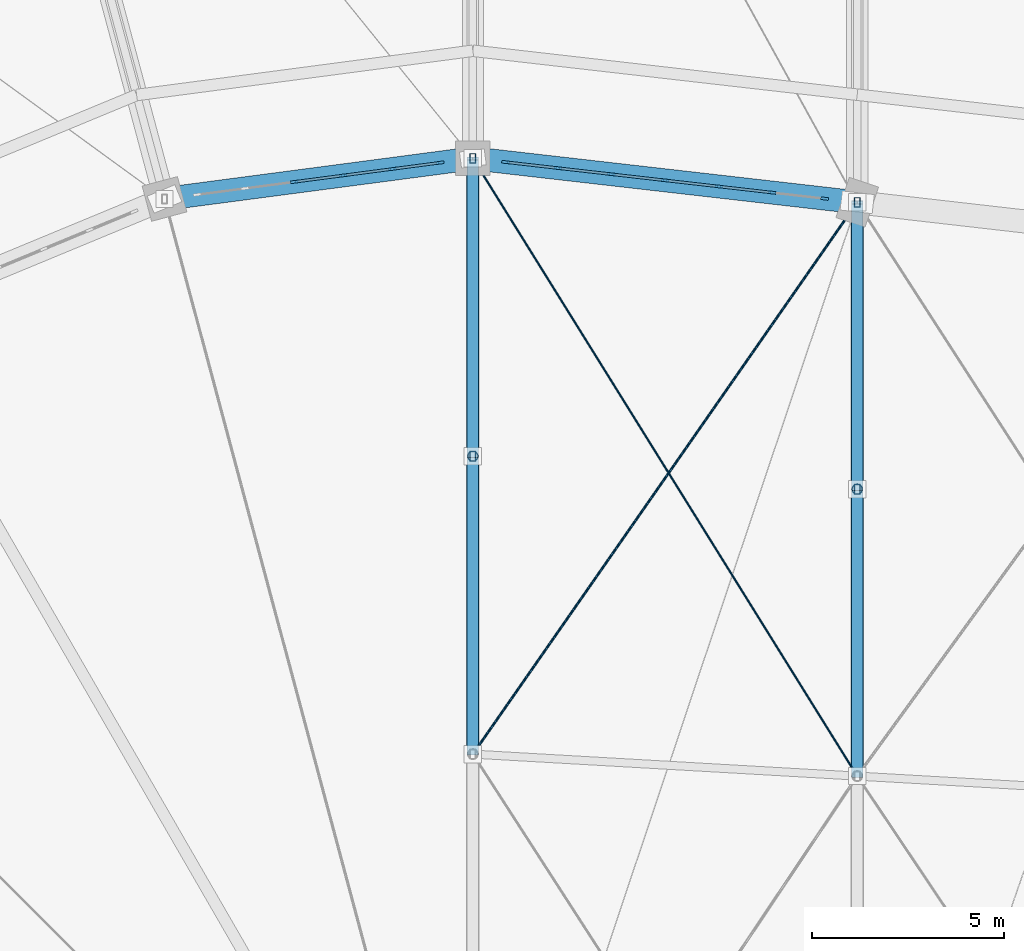
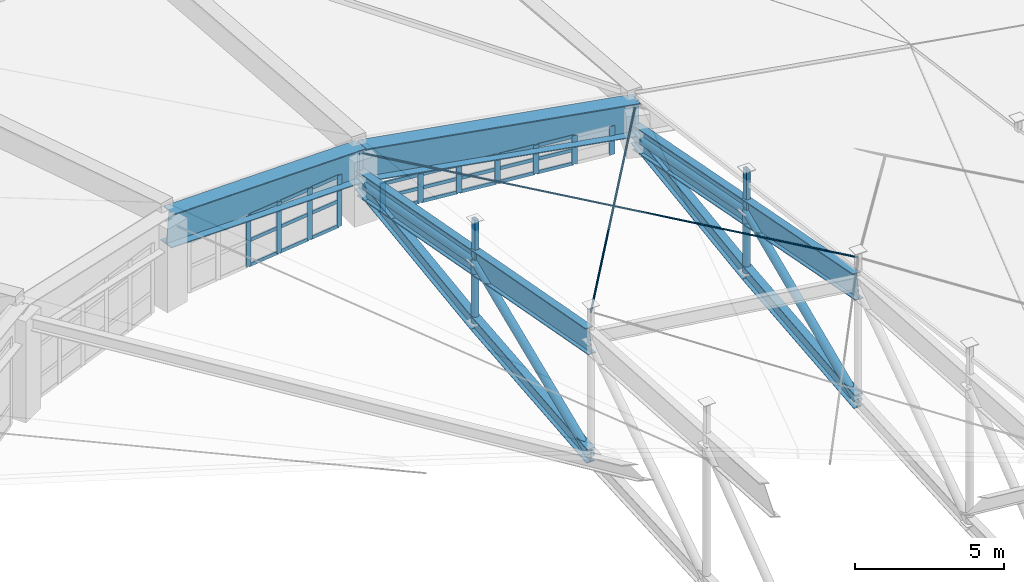
# One storey, part 34 of 68: 47 members, 10 beams, 2 elements without a shape of their own.
"""IFC4 building model written with IfcOpenShell, lengths in metres."""

from ifc_helpers import new_model, si_unit, direction, frame, origin, origin_2d, place, context, subcontext, project, spatial, rectangle, hollow_rectangle, circle, hollow_circle, i_section, extrude, material, layer, layer_set, material_profile, profile_set, type_object, element, aggregate, save


model = new_model("IFC4")

# Units and contexts
model_context = context("Model", 3, precision=1e-05, world=origin(), true_north=direction((0.0, 1.0)))
body_context = subcontext(model_context, "Body", "Model", "MODEL_VIEW")
ifc_project = project(units=[si_unit("LENGTHUNIT", "METRE"), si_unit("AREAUNIT", "SQUARE_METRE"), si_unit("VOLUMEUNIT", "CUBIC_METRE"), si_unit("PLANEANGLEUNIT", "RADIAN"), si_unit("MASSUNIT", "GRAM", prefix="KILO")], contexts=[model_context])

# Site, building, storey
site_placement = place(None, origin())
site = spatial("IfcSite", under=ifc_project, at=site_placement, CompositionType="ELEMENT")
building_placement = place(site_placement, origin())
building = spatial("IfcBuilding", under=site, at=building_placement, Name="Sohan Crest Arena", CompositionType="ELEMENT")
storey_placement = place(building_placement, frame((0.0, 0.0, 27.0)))
storey = spatial("IfcBuildingStorey", under=building, at=storey_placement, Name="RF", CompositionType="ELEMENT", Elevation=27.0)

# Curtain wall, members
ifc_material_1 = material(Name="Thermally broken anodised aluminium", Category="aluminium")
ifc_layer = layer(ifc_material_1, 0.18994140625, Name="Thermally broken anodised aluminium")
ifc_layer_set = layer_set([ifc_layer], Name="Thermally broken anodised aluminium")
curtain_wall_type = type_object("IfcCurtainWallType", Name="ARC-CW05", PredefinedType="NOTDEFINED", material=ifc_layer_set)
curtain_wall_1_placement = place(storey_placement, origin())
curtain_wall_1 = element("IfcCurtainWall", 1, at=curtain_wall_1_placement, inside=storey, type_object=curtain_wall_type, Name="Unitised curtain wall CW-165", PredefinedType="NOTDEFINED")
ifc_material_profile_1 = material_profile(ifc_material_1, rectangle(XDim=0.070068359375, YDim=0.199951171875, at=origin_2d()), Name="ALU-MULL 70x200")
ifc_profile_set_1 = profile_set([ifc_material_profile_1], Name="Thermally broken anodised aluminium")
member_type_1 = type_object("IfcMemberType", Name="ARC-CW-ML03", PredefinedType="MULLION", material=ifc_profile_set_1)
member_1_placement = place(storey_placement, frame((97.15234375, 108.888427734375, 0.0), z_axis=(0.0, 0.0, 1.0), x_axis=(0.130498613419, -0.991448491802, 0.0)))
member_1 = element("IfcMember", 2, at=member_1_placement, type_object=member_type_1, Name="CW-165 mullion 1", PredefinedType="MULLION", context=body_context, shape_type="SweptSolid", body=[
    extrude(rectangle(XDim=0.070068359375, YDim=0.199951171875, at=origin_2d()), origin(), (0.0, 0.0, 1.0), 2.097900390625),
])
member_2_placement = place(storey_placement, frame((95.90771484375, 108.724609375, 0.0), z_axis=(0.0, 0.0, 1.0), x_axis=(0.130498613419, -0.991448491802, 0.0)))
member_2 = element("IfcMember", 3, at=member_2_placement, type_object=member_type_1, Name="CW-165 mullion 2", PredefinedType="MULLION", context=body_context, shape_type="SweptSolid", body=[
    extrude(rectangle(XDim=0.070068359375, YDim=0.199951171875, at=origin_2d()), origin(), (0.0, 0.0, 1.0), 2.097900390625),
])
member_3_placement = place(storey_placement, frame((94.628173828125, 108.55615234375, 0.0), z_axis=(0.0, 0.0, 1.0), x_axis=(0.130498613419, -0.991448491802, 0.0)))
member_3 = element("IfcMember", 4, at=member_3_placement, type_object=member_type_1, Name="CW-165 mullion 3", PredefinedType="MULLION", context=body_context, shape_type="SweptSolid", body=[
    extrude(rectangle(XDim=0.070068359375, YDim=0.199951171875, at=origin_2d()), origin(), (0.0, 0.0, 1.0), 2.097900390625),
])
member_4_placement = place(storey_placement, frame((93.348876953125, 108.3876953125, 0.0), z_axis=(0.0, 0.0, 1.0), x_axis=(0.130498613419, -0.991448491802, 0.0)))
member_4 = element("IfcMember", 5, at=member_4_placement, type_object=member_type_1, Name="CW-165 mullion 4", PredefinedType="MULLION", context=body_context, shape_type="SweptSolid", body=[
    extrude(rectangle(XDim=0.070068359375, YDim=0.199951171875, at=origin_2d()), origin(), (0.0, 0.0, 1.0), 2.097900390625),
])

curtain_wall_2_placement = place(storey_placement, origin())
curtain_wall_2 = element("IfcCurtainWall", 6, at=curtain_wall_2_placement, inside=storey, type_object=curtain_wall_type, Name="Unitised curtain wall CW-201", PredefinedType="NOTDEFINED")
member_5_placement = place(storey_placement, frame((107.150146484375, 107.953857421875, 0.0), z_axis=(0.0, 0.0, 1.0), x_axis=(-0.11359680696, -0.993526932422, 0.0)))
member_5 = element("IfcMember", 7, at=member_5_placement, type_object=member_type_1, Name="CW-201 mullion 1", PredefinedType="MULLION", context=body_context, shape_type="SweptSolid", body=[
    extrude(rectangle(XDim=0.070068359375, YDim=0.199951171875, at=origin_2d()), origin(), (0.0, 0.0, 1.0), 1.1669921875),
])
member_6_placement = place(storey_placement, frame((105.7900390625, 108.109619140625, 0.0), z_axis=(0.0, 0.0, 1.0), x_axis=(-0.11359680696, -0.993526932422, 0.0)))
member_6 = element("IfcMember", 8, at=member_6_placement, type_object=member_type_1, Name="CW-201 mullion 2", PredefinedType="MULLION", context=body_context, shape_type="SweptSolid", body=[
    extrude(rectangle(XDim=0.070068359375, YDim=0.199951171875, at=origin_2d()), origin(), (0.0, 0.0, 1.0), 1.1669921875),
])
member_7_placement = place(storey_placement, frame((104.39501953125, 108.26904296875, 0.0), z_axis=(0.0, 0.0, 1.0), x_axis=(-0.11359680696, -0.993526932422, 0.0)))
member_7 = element("IfcMember", 9, at=member_7_placement, type_object=member_type_1, Name="CW-201 mullion 3", PredefinedType="MULLION", context=body_context, shape_type="SweptSolid", body=[
    extrude(rectangle(XDim=0.070068359375, YDim=0.199951171875, at=origin_2d()), origin(), (0.0, 0.0, 1.0), 1.1669921875),
])
member_8_placement = place(storey_placement, frame((103.0, 108.428466796875, 0.0), z_axis=(0.0, 0.0, 1.0), x_axis=(-0.11359680696, -0.993526932422, 0.0)))
member_8 = element("IfcMember", 10, at=member_8_placement, type_object=member_type_1, Name="CW-201 mullion 4", PredefinedType="MULLION", context=body_context, shape_type="SweptSolid", body=[
    extrude(rectangle(XDim=0.070068359375, YDim=0.199951171875, at=origin_2d()), origin(), (0.0, 0.0, 1.0), 1.1669921875),
])
member_9_placement = place(storey_placement, frame((101.60498046875, 108.587890625, 0.0), z_axis=(0.0, 0.0, 1.0), x_axis=(-0.11359680696, -0.993526932422, 0.0)))
member_9 = element("IfcMember", 11, at=member_9_placement, type_object=member_type_1, Name="CW-201 mullion 5", PredefinedType="MULLION", context=body_context, shape_type="SweptSolid", body=[
    extrude(rectangle(XDim=0.070068359375, YDim=0.199951171875, at=origin_2d()), origin(), (0.0, 0.0, 1.0), 1.1669921875),
])
member_10_placement = place(storey_placement, frame((100.2099609375, 108.74755859375, 0.0), z_axis=(0.0, 0.0, 1.0), x_axis=(-0.11359680696, -0.993526932422, 0.0)))
member_10 = element("IfcMember", 12, at=member_10_placement, type_object=member_type_1, Name="CW-201 mullion 6", PredefinedType="MULLION", context=body_context, shape_type="SweptSolid", body=[
    extrude(rectangle(XDim=0.070068359375, YDim=0.199951171875, at=origin_2d()), origin(), (0.0, 0.0, 1.0), 1.1669921875),
])
member_11_placement = place(storey_placement, frame((98.849853515625, 108.903076171875, 0.0), z_axis=(0.0, 0.0, 1.0), x_axis=(-0.11359680696, -0.993526932422, 0.0)))
member_11 = element("IfcMember", 13, at=member_11_placement, type_object=member_type_1, Name="CW-201 mullion 7", PredefinedType="MULLION", context=body_context, shape_type="SweptSolid", body=[
    extrude(rectangle(XDim=0.070068359375, YDim=0.199951171875, at=origin_2d()), origin(), (0.0, 0.0, 1.0), 1.1669921875),
])

# Member
ifc_material_profile_2 = material_profile(ifc_material_1, rectangle(XDim=0.06494140625, YDim=0.139892578125, at=origin_2d()), Name="ALU-TRAN 65x140")
ifc_profile_set_2 = profile_set([ifc_material_profile_2], Name="Thermally broken anodised aluminium")
member_type_2 = type_object("IfcMemberType", Name="ARC-CW-TR02", PredefinedType="USERDEFINED", material=ifc_profile_set_2)
member_12_placement = place(storey_placement, frame((97.11767578125, 108.8837890625, 0.032470703125), z_axis=(-0.991465507922, -0.130369270153, 0.0), x_axis=(0.130369270153, -0.991465507922, 0.0)))
member_12 = element("IfcMember", 14, at=member_12_placement, type_object=member_type_2, Name="CW-165 transom 1.1", ObjectType="TRANSOM", PredefinedType="USERDEFINED", context=body_context, shape_type="SweptSolid", body=[
    extrude(rectangle(XDim=0.06494140625, YDim=0.139892578125, at=origin_2d()), origin(), (0.0, 0.0, 1.0), 1.185302734375),
])

member_13_placement = place(storey_placement, frame((97.11767578125, 108.8837890625, 1.049072265625), z_axis=(-0.991465507922, -0.130369270153, 0.0), x_axis=(0.130369270153, -0.991465507922, 0.0)))
member_13 = element("IfcMember", 15, at=member_13_placement, type_object=member_type_2, Name="CW-165 transom 1.2", ObjectType="TRANSOM", PredefinedType="USERDEFINED", context=body_context, shape_type="SweptSolid", body=[
    extrude(rectangle(XDim=0.06494140625, YDim=0.139892578125, at=origin_2d()), origin(), (0.0, 0.0, 1.0), 1.185302734375),
])

member_14_placement = place(storey_placement, frame((97.11767578125, 108.8837890625, 2.0654296875), z_axis=(-0.991465507922, -0.130369270153, 0.0), x_axis=(0.130369270153, -0.991465507922, 0.0)))
member_14 = element("IfcMember", 16, at=member_14_placement, type_object=member_type_2, Name="CW-165 transom 1.3", ObjectType="TRANSOM", PredefinedType="USERDEFINED", context=body_context, shape_type="SweptSolid", body=[
    extrude(rectangle(XDim=0.06494140625, YDim=0.139892578125, at=origin_2d()), origin(), (0.0, 0.0, 1.0), 1.185302734375),
])

member_15_placement = place(storey_placement, frame((95.872802734375, 108.719970703125, 0.032470703125), z_axis=(-0.991457018973, -0.130433812827, 0.0), x_axis=(0.130433812827, -0.991457018973, 0.0)))
member_15 = element("IfcMember", 17, at=member_15_placement, type_object=member_type_2, Name="CW-165 transom 2.1", ObjectType="TRANSOM", PredefinedType="USERDEFINED", context=body_context, shape_type="SweptSolid", body=[
    extrude(rectangle(XDim=0.06494140625, YDim=0.139892578125, at=origin_2d()), origin(), (0.0, 0.0, 1.0), 1.220458984375),
])

member_16_placement = place(storey_placement, frame((95.872802734375, 108.719970703125, 1.049072265625), z_axis=(-0.991457018973, -0.130433812827, 0.0), x_axis=(0.130433812827, -0.991457018973, 0.0)))
member_16 = element("IfcMember", 18, at=member_16_placement, type_object=member_type_2, Name="CW-165 transom 2.2", ObjectType="TRANSOM", PredefinedType="USERDEFINED", context=body_context, shape_type="SweptSolid", body=[
    extrude(rectangle(XDim=0.06494140625, YDim=0.139892578125, at=origin_2d()), origin(), (0.0, 0.0, 1.0), 1.220458984375),
])

member_17_placement = place(storey_placement, frame((95.872802734375, 108.719970703125, 2.0654296875), z_axis=(-0.991457018973, -0.130433812827, 0.0), x_axis=(0.130433812827, -0.991457018973, 0.0)))
member_17 = element("IfcMember", 19, at=member_17_placement, type_object=member_type_2, Name="CW-165 transom 2.3", ObjectType="TRANSOM", PredefinedType="USERDEFINED", context=body_context, shape_type="SweptSolid", body=[
    extrude(rectangle(XDim=0.06494140625, YDim=0.139892578125, at=origin_2d()), origin(), (0.0, 0.0, 1.0), 1.220458984375),
])

member_18_placement = place(storey_placement, frame((94.593505859375, 108.551513671875, 0.032470703125), z_axis=(-0.991457018973, -0.130433812827, 0.0), x_axis=(0.130433812827, -0.991457018973, 0.0)))
member_18 = element("IfcMember", 20, at=member_18_placement, type_object=member_type_2, Name="CW-165 transom 3.1", ObjectType="TRANSOM", PredefinedType="USERDEFINED", context=body_context, shape_type="SweptSolid", body=[
    extrude(rectangle(XDim=0.06494140625, YDim=0.139892578125, at=origin_2d()), origin(), (0.0, 0.0, 1.0), 1.220458984375),
])

member_19_placement = place(storey_placement, frame((94.593505859375, 108.551513671875, 1.049072265625), z_axis=(-0.991457018973, -0.130433812827, 0.0), x_axis=(0.130433812827, -0.991457018973, 0.0)))
member_19 = element("IfcMember", 21, at=member_19_placement, type_object=member_type_2, Name="CW-165 transom 3.2", ObjectType="TRANSOM", PredefinedType="USERDEFINED", context=body_context, shape_type="SweptSolid", body=[
    extrude(rectangle(XDim=0.06494140625, YDim=0.139892578125, at=origin_2d()), origin(), (0.0, 0.0, 1.0), 1.220458984375),
])

member_20_placement = place(storey_placement, frame((94.593505859375, 108.551513671875, 2.0654296875), z_axis=(-0.991457018973, -0.130433812827, 0.0), x_axis=(0.130433812827, -0.991457018973, 0.0)))
member_20 = element("IfcMember", 22, at=member_20_placement, type_object=member_type_2, Name="CW-165 transom 3.3", ObjectType="TRANSOM", PredefinedType="USERDEFINED", context=body_context, shape_type="SweptSolid", body=[
    extrude(rectangle(XDim=0.06494140625, YDim=0.139892578125, at=origin_2d()), origin(), (0.0, 0.0, 1.0), 1.220458984375),
])

aggregate(curtain_wall_1, [member_1, member_2, member_3, member_4, member_12, member_13, member_14, member_15, member_16, member_17, member_18, member_19, member_20])

member_21_placement = place(storey_placement, frame((105.755126953125, 108.113525390625, 0.032470703125), z_axis=(-0.993521460563, 0.113644654082, 0.0), x_axis=(-0.113644654082, -0.993521460563, 0.0)))
member_21 = element("IfcMember", 23, at=member_21_placement, type_object=member_type_2, Name="CW-201 transom 2.1", ObjectType="TRANSOM", PredefinedType="USERDEFINED", context=body_context, shape_type="SweptSolid", body=[
    extrude(rectangle(XDim=0.06494140625, YDim=0.139892578125, at=origin_2d()), origin(), (0.0, 0.0, 1.0), 1.333984375),
])

member_22_placement = place(storey_placement, frame((105.755126953125, 108.113525390625, 0.583984375), z_axis=(-0.993521460563, 0.113644654082, 0.0), x_axis=(-0.113644654082, -0.993521460563, 0.0)))
member_22 = element("IfcMember", 24, at=member_22_placement, type_object=member_type_2, Name="CW-201 transom 2.2", ObjectType="TRANSOM", PredefinedType="USERDEFINED", context=body_context, shape_type="SweptSolid", body=[
    extrude(rectangle(XDim=0.06494140625, YDim=0.139892578125, at=origin_2d()), origin(), (0.0, 0.0, 1.0), 1.333984375),
])

member_23_placement = place(storey_placement, frame((105.755126953125, 108.113525390625, 1.134521484375), z_axis=(-0.993521460563, 0.113644654082, 0.0), x_axis=(-0.113644654082, -0.993521460563, 0.0)))
member_23 = element("IfcMember", 25, at=member_23_placement, type_object=member_type_2, Name="CW-201 transom 2.3", ObjectType="TRANSOM", PredefinedType="USERDEFINED", context=body_context, shape_type="SweptSolid", body=[
    extrude(rectangle(XDim=0.06494140625, YDim=0.139892578125, at=origin_2d()), origin(), (0.0, 0.0, 1.0), 1.333984375),
])

member_24_placement = place(storey_placement, frame((104.360107421875, 108.27294921875, 0.032470703125), z_axis=(-0.993521460563, 0.113644654082, 0.0), x_axis=(-0.113644654082, -0.993521460563, 0.0)))
member_24 = element("IfcMember", 26, at=member_24_placement, type_object=member_type_2, Name="CW-201 transom 3.1", ObjectType="TRANSOM", PredefinedType="USERDEFINED", context=body_context, shape_type="SweptSolid", body=[
    extrude(rectangle(XDim=0.06494140625, YDim=0.139892578125, at=origin_2d()), origin(), (0.0, 0.0, 1.0), 1.333984375),
])

member_25_placement = place(storey_placement, frame((104.360107421875, 108.27294921875, 0.583984375), z_axis=(-0.993521460563, 0.113644654082, 0.0), x_axis=(-0.113644654082, -0.993521460563, 0.0)))
member_25 = element("IfcMember", 27, at=member_25_placement, type_object=member_type_2, Name="CW-201 transom 3.2", ObjectType="TRANSOM", PredefinedType="USERDEFINED", context=body_context, shape_type="SweptSolid", body=[
    extrude(rectangle(XDim=0.06494140625, YDim=0.139892578125, at=origin_2d()), origin(), (0.0, 0.0, 1.0), 1.333984375),
])

member_26_placement = place(storey_placement, frame((104.360107421875, 108.27294921875, 1.134521484375), z_axis=(-0.993521460563, 0.113644654082, 0.0), x_axis=(-0.113644654082, -0.993521460563, 0.0)))
member_26 = element("IfcMember", 28, at=member_26_placement, type_object=member_type_2, Name="CW-201 transom 3.3", ObjectType="TRANSOM", PredefinedType="USERDEFINED", context=body_context, shape_type="SweptSolid", body=[
    extrude(rectangle(XDim=0.06494140625, YDim=0.139892578125, at=origin_2d()), origin(), (0.0, 0.0, 1.0), 1.333984375),
])

member_27_placement = place(storey_placement, frame((102.96533203125, 108.432373046875, 0.032470703125), z_axis=(-0.993521460563, 0.113644654082, 0.0), x_axis=(-0.113644654082, -0.993521460563, 0.0)))
member_27 = element("IfcMember", 29, at=member_27_placement, type_object=member_type_2, Name="CW-201 transom 4.1", ObjectType="TRANSOM", PredefinedType="USERDEFINED", context=body_context, shape_type="SweptSolid", body=[
    extrude(rectangle(XDim=0.06494140625, YDim=0.139892578125, at=origin_2d()), origin(), (0.0, 0.0, 1.0), 1.333984375),
])

member_28_placement = place(storey_placement, frame((102.96533203125, 108.432373046875, 0.583984375), z_axis=(-0.993521460563, 0.113644654082, 0.0), x_axis=(-0.113644654082, -0.993521460563, 0.0)))
member_28 = element("IfcMember", 30, at=member_28_placement, type_object=member_type_2, Name="CW-201 transom 4.2", ObjectType="TRANSOM", PredefinedType="USERDEFINED", context=body_context, shape_type="SweptSolid", body=[
    extrude(rectangle(XDim=0.06494140625, YDim=0.139892578125, at=origin_2d()), origin(), (0.0, 0.0, 1.0), 1.333984375),
])

member_29_placement = place(storey_placement, frame((102.96533203125, 108.432373046875, 1.134521484375), z_axis=(-0.993521460563, 0.113644654082, 0.0), x_axis=(-0.113644654082, -0.993521460563, 0.0)))
member_29 = element("IfcMember", 31, at=member_29_placement, type_object=member_type_2, Name="CW-201 transom 4.3", ObjectType="TRANSOM", PredefinedType="USERDEFINED", context=body_context, shape_type="SweptSolid", body=[
    extrude(rectangle(XDim=0.06494140625, YDim=0.139892578125, at=origin_2d()), origin(), (0.0, 0.0, 1.0), 1.333984375),
])

member_30_placement = place(storey_placement, frame((101.5703125, 108.592041015625, 0.032470703125), z_axis=(-0.993542107108, 0.113464009285, 0.0), x_axis=(-0.113464009285, -0.993542107108, 0.0)))
member_30 = element("IfcMember", 32, at=member_30_placement, type_object=member_type_2, Name="CW-201 transom 5.1", ObjectType="TRANSOM", PredefinedType="USERDEFINED", context=body_context, shape_type="SweptSolid", body=[
    extrude(rectangle(XDim=0.06494140625, YDim=0.139892578125, at=origin_2d()), origin(), (0.0, 0.0, 1.0), 1.333984375),
])

member_31_placement = place(storey_placement, frame((101.5703125, 108.592041015625, 0.583984375), z_axis=(-0.993542107108, 0.113464009285, 0.0), x_axis=(-0.113464009285, -0.993542107108, 0.0)))
member_31 = element("IfcMember", 33, at=member_31_placement, type_object=member_type_2, Name="CW-201 transom 5.2", ObjectType="TRANSOM", PredefinedType="USERDEFINED", context=body_context, shape_type="SweptSolid", body=[
    extrude(rectangle(XDim=0.06494140625, YDim=0.139892578125, at=origin_2d()), origin(), (0.0, 0.0, 1.0), 1.333984375),
])

member_32_placement = place(storey_placement, frame((101.5703125, 108.592041015625, 1.134521484375), z_axis=(-0.993542107108, 0.113464009285, 0.0), x_axis=(-0.113464009285, -0.993542107108, 0.0)))
member_32 = element("IfcMember", 34, at=member_32_placement, type_object=member_type_2, Name="CW-201 transom 5.3", ObjectType="TRANSOM", PredefinedType="USERDEFINED", context=body_context, shape_type="SweptSolid", body=[
    extrude(rectangle(XDim=0.06494140625, YDim=0.139892578125, at=origin_2d()), origin(), (0.0, 0.0, 1.0), 1.333984375),
])

member_33_placement = place(storey_placement, frame((100.17529296875, 108.75146484375, 0.032470703125), z_axis=(-0.99351630859, 0.113689685398, 0.0), x_axis=(-0.113689685398, -0.99351630859, 0.0)))
member_33 = element("IfcMember", 35, at=member_33_placement, type_object=member_type_2, Name="CW-201 transom 6.1", ObjectType="TRANSOM", PredefinedType="USERDEFINED", context=body_context, shape_type="SweptSolid", body=[
    extrude(rectangle(XDim=0.06494140625, YDim=0.139892578125, at=origin_2d()), origin(), (0.0, 0.0, 1.0), 1.29931640625),
])

member_34_placement = place(storey_placement, frame((100.17529296875, 108.75146484375, 0.583984375), z_axis=(-0.99351630859, 0.113689685398, 0.0), x_axis=(-0.113689685398, -0.99351630859, 0.0)))
member_34 = element("IfcMember", 36, at=member_34_placement, type_object=member_type_2, Name="CW-201 transom 6.2", ObjectType="TRANSOM", PredefinedType="USERDEFINED", context=body_context, shape_type="SweptSolid", body=[
    extrude(rectangle(XDim=0.06494140625, YDim=0.139892578125, at=origin_2d()), origin(), (0.0, 0.0, 1.0), 1.29931640625),
])

member_35_placement = place(storey_placement, frame((100.17529296875, 108.75146484375, 1.134521484375), z_axis=(-0.99351630859, 0.113689685398, 0.0), x_axis=(-0.113689685398, -0.99351630859, 0.0)))
member_35 = element("IfcMember", 37, at=member_35_placement, type_object=member_type_2, Name="CW-201 transom 6.3", ObjectType="TRANSOM", PredefinedType="USERDEFINED", context=body_context, shape_type="SweptSolid", body=[
    extrude(rectangle(XDim=0.06494140625, YDim=0.139892578125, at=origin_2d()), origin(), (0.0, 0.0, 1.0), 1.29931640625),
])

aggregate(curtain_wall_2, [member_5, member_6, member_7, member_8, member_9, member_10, member_11, member_21, member_22, member_23, member_24, member_25, member_26, member_27, member_28, member_29, member_30, member_31, member_32, member_33, member_34, member_35])

# Beams
ifc_material_2 = material(Name="Steel S355", Category="steel")
ifc_material_profile_3 = material_profile(ifc_material_2, i_section(OverallWidth=0.300048828125, OverallDepth=0.60009765625, WebThickness=0.015380859375, FlangeThickness=0.030029296875, at=origin_2d()), Name="HEB 600")
ifc_profile_set_3 = profile_set([ifc_material_profile_3], Name="Steel S355")
beam_type_1 = type_object("IfcBeamType", Name="STR-BM-B15", PredefinedType="BEAM", material=ifc_profile_set_3)
beam_1_placement = place(storey_placement, frame((98.0, 93.5, -0.339111328125), z_axis=(0.0, 0.995350013555, 0.09632419486), x_axis=(-1.0, 0.0, 0.0)))
element("IfcBeam", 38, at=beam_1_placement, inside=storey, type_object=beam_type_1, Name="Structural beam RAB-RF-3029", PredefinedType="BEAM", context=body_context, shape_type="SweptSolid", body=[
    extrude(i_section(OverallWidth=0.300048828125, OverallDepth=0.60009765625, WebThickness=0.015380859375, FlangeThickness=0.030029296875, at=origin_2d()), origin(), (0.0, 0.0, 1.0), 7.7861328125),
])
beam_2_placement = place(storey_placement, frame((98.0, 101.25, 0.410888671875), z_axis=(0.0, 0.99094567936, 0.134263399916), x_axis=(-1.0, 0.0, 0.0)))
element("IfcBeam", 39, at=beam_2_placement, inside=storey, type_object=beam_type_1, Name="Structural beam RAB-RF-3031", PredefinedType="BEAM", context=body_context, shape_type="SweptSolid", body=[
    extrude(i_section(OverallWidth=0.300048828125, OverallDepth=0.60009765625, WebThickness=0.015380859375, FlangeThickness=0.030029296875, at=origin_2d()), origin(), (0.0, 0.0, 1.0), 7.82080078125),
])
beam_3_placement = place(storey_placement, frame((108.0, 92.927978515625, -1.26708984375), z_axis=(0.0, 0.994991011349, 0.099964430352), x_axis=(-1.0, 0.0, 0.0)))
element("IfcBeam", 40, at=beam_3_placement, inside=storey, type_object=beam_type_1, Name="Structural beam RAB-RF-3045", PredefinedType="BEAM", context=body_context, shape_type="SweptSolid", body=[
    extrude(i_section(OverallWidth=0.300048828125, OverallDepth=0.60009765625, WebThickness=0.015380859375, FlangeThickness=0.030029296875, at=origin_2d()), origin(), (0.0, 0.0, 1.0), 7.502685546875),
])
beam_4_placement = place(storey_placement, frame((108.0, 100.39306640625, -0.51708984375), z_axis=(0.0, 0.990248481428, 0.139312400845), x_axis=(-1.0, 0.0, 0.0)))
element("IfcBeam", 41, at=beam_4_placement, inside=storey, type_object=beam_type_1, Name="Structural beam RAB-RF-3047", PredefinedType="BEAM", context=body_context, shape_type="SweptSolid", body=[
    extrude(i_section(OverallWidth=0.300048828125, OverallDepth=0.60009765625, WebThickness=0.015380859375, FlangeThickness=0.030029296875, at=origin_2d()), origin(), (0.0, 0.0, 1.0), 7.537353515625),
])
ifc_material_profile_4 = material_profile(ifc_material_2, i_section(OverallWidth=0.300048828125, OverallDepth=1.0, WebThickness=0.01904296875, FlangeThickness=0.035888671875, at=origin_2d()), Name="HEB 1000")
ifc_profile_set_4 = profile_set([ifc_material_profile_4], Name="Steel S355")
beam_type_2 = type_object("IfcBeamType", Name="STR-BM-B19", PredefinedType="BEAM", material=ifc_profile_set_4)
for number, where, z_axis, x_axis, name in (
    (42, (98.0, 93.5, 4.34912109375), (0.0, 0.983079114162, -0.183181481863), (-1.0, 0.0, 0.0), "Structural beam RA-RF-3028"),
    (43, (98.0, 101.25, 2.905029296875), (0.0, 0.983079114162, -0.183181481863), (-1.0, 0.0, 0.0), "Structural beam RA-RF-3030"),
):
    element("IfcBeam", number, at=place(storey_placement, frame(where, z_axis=z_axis, x_axis=x_axis)), inside=storey, type_object=beam_type_2, Name=name, PredefinedType="BEAM", context=body_context, shape_type="SweptSolid", body=[
        extrude(i_section(OverallWidth=0.300048828125, OverallDepth=1.0, WebThickness=0.01904296875, FlangeThickness=0.035888671875, at=origin_2d()), origin(), (0.0, 0.0, 1.0), 7.88330078125),
    ])
beam_5_placement = place(storey_placement, frame((108.0, 92.927978515625, 3.4208984375), z_axis=(0.0, 0.981799944095, -0.189918060687), x_axis=(-1.0, 0.0, 0.0)))
element("IfcBeam", 44, at=beam_5_placement, inside=storey, type_object=beam_type_2, Name="Structural beam RA-RF-3044", PredefinedType="BEAM", context=body_context, shape_type="SweptSolid", body=[
    extrude(i_section(OverallWidth=0.300048828125, OverallDepth=1.0, WebThickness=0.01904296875, FlangeThickness=0.035888671875, at=origin_2d()), origin(), (0.0, 0.0, 1.0), 7.6025390625),
])
beam_6_placement = place(storey_placement, frame((108.0, 100.39208984375, 1.97705078125), z_axis=(0.0, 0.981797431238, -0.189931050686), x_axis=(-1.0, 0.0, 0.0)))
element("IfcBeam", 45, at=beam_6_placement, inside=storey, type_object=beam_type_2, Name="Structural beam RA-RF-3046", PredefinedType="BEAM", context=body_context, shape_type="SweptSolid", body=[
    extrude(i_section(OverallWidth=0.300048828125, OverallDepth=1.0, WebThickness=0.01904296875, FlangeThickness=0.035888671875, at=origin_2d()), origin(), (0.0, 0.0, 1.0), 7.603271484375),
])
ifc_material_profile_5 = material_profile(ifc_material_2, i_section(OverallWidth=0.60009765625, OverallDepth=1.35009765625, WebThickness=0.02392578125, FlangeThickness=0.035888671875, at=origin_2d()), Name="PG 1350x600x24x36")
ifc_profile_set_5 = profile_set([ifc_material_profile_5], Name="Steel S355")
beam_type_3 = type_object("IfcBeamType", Name="STR-BM-RB02", PredefinedType="USERDEFINED", material=ifc_profile_set_5)
beam_7_placement = place(storey_placement, frame((98.0, 109.0, 2.27099609375), z_axis=(-0.987025402807, -0.129903379805, 0.094371426438), x_axis=(0.130485730048, -0.99145018748, 0.0)))
element("IfcBeam", 46, at=beam_7_placement, inside=storey, type_object=beam_type_3, Name="Rising compression ring beam segment RB-01", ObjectType="RING BEAM", PredefinedType="USERDEFINED", context=body_context, shape_type="SweptSolid", body=[
    extrude(i_section(OverallWidth=0.60009765625, OverallDepth=1.35009765625, WebThickness=0.02392578125, FlangeThickness=0.035888671875, at=origin_2d()), origin(), (0.0, 0.0, 1.0), 8.12841796875),
])
beam_8_placement = place(storey_placement, frame((108.0, 107.85693359375, 1.343017578125), z_axis=(-0.989334368203, 0.113087488084, 0.091808103846), x_axis=(-0.113567114035, -0.99353032697, 0.0)))
element("IfcBeam", 47, at=beam_8_placement, inside=storey, type_object=beam_type_3, Name="Rising compression ring beam segment RB-34", ObjectType="RING BEAM", PredefinedType="USERDEFINED", context=body_context, shape_type="SweptSolid", body=[
    extrude(i_section(OverallWidth=0.60009765625, OverallDepth=1.35009765625, WebThickness=0.02392578125, FlangeThickness=0.035888671875, at=origin_2d()), origin(), (0.0, 0.0, 1.0), 10.10791015625),
])

# Members
ifc_material_profile_6 = material_profile(ifc_material_2, hollow_circle(Radius=0.136474609375, WallThickness=0.012451171875, at=origin_2d()), Name="CHS 273x12.5")
ifc_profile_set_6 = profile_set([ifc_material_profile_6], Name="Steel S355")
member_type_3 = type_object("IfcMemberType", Name="STR-MEM-BR02", PredefinedType="BRACE", material=ifc_profile_set_6)
for number, where, z_axis, x_axis, name in (
    (48, (98.0, 101.25, 0.410888671875), (0.0, 0.0, 1.0), (1.0, 0.0, 0.0), "Lenticular roof truss web strut TW-083"),
    (49, (108.0, 100.39306640625, -0.51708984375), (0.0, -0.000391542648, 0.999999923347), (1.0, 0.0, 0.0), "Lenticular roof truss web strut TW-107"),
):
    element("IfcMember", number, at=place(storey_placement, frame(where, z_axis=z_axis, x_axis=x_axis)), inside=storey, type_object=member_type_3, Name=name, PredefinedType="BRACE", context=body_context, shape_type="SweptSolid", body=[
        extrude(hollow_circle(Radius=0.136474609375, WallThickness=0.012451171875, at=origin_2d()), origin(), (0.0, 0.0, 1.0), 2.494140625),
    ])
ifc_material_profile_7 = material_profile(ifc_material_2, hollow_circle(Radius=0.161865234375, WallThickness=0.012451171875, at=origin_2d()), Name="CHS 323.9x12.5")
ifc_profile_set_7 = profile_set([ifc_material_profile_7], Name="Steel S355")
member_type_4 = type_object("IfcMemberType", Name="STR-MEM-BR03", PredefinedType="BRACE", material=ifc_profile_set_7)
member_36_placement = place(storey_placement, frame((98.0, 93.5, -0.339111328125), z_axis=(0.0, 0.922442913954, 0.386133487923), x_axis=(-1.0, 0.0, 0.0)))
element("IfcMember", 50, at=member_36_placement, inside=storey, type_object=member_type_4, Name="Lenticular roof truss web diagonal TD-082", PredefinedType="BRACE", context=body_context, shape_type="SweptSolid", body=[
    extrude(hollow_circle(Radius=0.161865234375, WallThickness=0.012451171875, at=origin_2d()), origin(), (0.0, 0.0, 1.0), 8.401611328125),
])
member_37_placement = place(storey_placement, frame((98.0, 109.0, 1.4609375), z_axis=(0.0, -0.983079114162, 0.183181481863), x_axis=(1.0, 0.0, 0.0)))
element("IfcMember", 51, at=member_37_placement, inside=storey, type_object=member_type_4, Name="Lenticular roof truss web diagonal TD-084", PredefinedType="BRACE", context=body_context, shape_type="SweptSolid", body=[
    extrude(hollow_circle(Radius=0.161865234375, WallThickness=0.012451171875, at=origin_2d()), origin(), (0.0, 0.0, 1.0), 7.88330078125),
])
member_38_placement = place(storey_placement, frame((108.0, 92.927978515625, -1.26708984375), z_axis=(0.0, 0.917120601496, 0.398609837199), x_axis=(-1.0, 0.0, 0.0)))
element("IfcMember", 52, at=member_38_placement, inside=storey, type_object=member_type_4, Name="Lenticular roof truss web diagonal TD-106", PredefinedType="BRACE", context=body_context, shape_type="SweptSolid", body=[
    extrude(hollow_circle(Radius=0.161865234375, WallThickness=0.012451171875, at=origin_2d()), origin(), (0.0, 0.0, 1.0), 8.138671875),
])
member_39_placement = place(storey_placement, frame((108.0, 107.85693359375, 0.532958984375), z_axis=(0.0, -0.981797431238, 0.189931050686), x_axis=(1.0, 0.0, 0.0)))
element("IfcMember", 53, at=member_39_placement, inside=storey, type_object=member_type_4, Name="Lenticular roof truss web diagonal TD-108", PredefinedType="BRACE", context=body_context, shape_type="SweptSolid", body=[
    extrude(hollow_circle(Radius=0.161865234375, WallThickness=0.012451171875, at=origin_2d()), origin(), (0.0, 0.0, 1.0), 7.603271484375),
])
ifc_material_3 = material(Name="Steel S460", Category="steel")
ifc_material_profile_8 = material_profile(ifc_material_3, circle(Radius=0.031982421875, at=origin_2d()), Name="FLC D64")
ifc_profile_set_8 = profile_set([ifc_material_profile_8], Name="Steel S460")
member_type_5 = type_object("IfcMemberType", Name="STR-MEM-CB01", PredefinedType="USERDEFINED", material=ifc_profile_set_8)
member_40_placement = place(storey_placement, frame((98.0, 93.5, 5.529052734375), z_axis=(0.558419947769, 0.801719810755, -0.21310210458), x_axis=(-0.820568318735, 0.571548453141, 0.0)))
element("IfcMember", 54, at=member_40_placement, inside=storey, type_object=member_type_5, Name="Full-locked-coil roof cable CB-007", ObjectType="CABLE", PredefinedType="USERDEFINED", context=body_context, shape_type="SweptSolid", body=[
    extrude(circle(Radius=0.031982421875, at=origin_2d()), origin(), (0.0, 0.0, 1.0), 17.90771484375),
])
ifc_material_profile_9 = material_profile(ifc_material_3, circle(Radius=0.02587890625, at=origin_2d()), Name="FLC D52")
ifc_profile_set_9 = profile_set([ifc_material_profile_9], Name="Steel S460")
member_type_6 = type_object("IfcMemberType", Name="STR-MEM-CB02", PredefinedType="USERDEFINED", material=ifc_profile_set_9)
member_41_placement = place(storey_placement, frame((98.0, 109.0, 2.64111328125), z_axis=(0.525478513723, -0.844550196213, 0.102991736039), x_axis=(0.849065345961, 0.52828783659, 0.0)))
element("IfcMember", 55, at=member_41_placement, inside=storey, type_object=member_type_6, Name="Full-locked-coil roof cable CB-008", ObjectType="CABLE", PredefinedType="USERDEFINED", context=body_context, shape_type="SweptSolid", body=[
    extrude(circle(Radius=0.02587890625, at=origin_2d()), origin(), (0.0, 0.0, 1.0), 19.0302734375),
])
ifc_material_profile_10 = material_profile(ifc_material_2, hollow_rectangle(XDim=0.14990234375, YDim=0.25, WallThickness=0.010009765625, at=origin_2d()), Name="RHS 250x150x10")
ifc_profile_set_10 = profile_set([ifc_material_profile_10], Name="Steel S355")
member_type_7 = type_object("IfcMemberType", Name="STR-MEM-CH02", PredefinedType="CHORD", material=ifc_profile_set_10)
member_42_placement = place(storey_placement, frame((98.0, 101.25, 2.905029296875), z_axis=(0.0, 0.0, 1.0), x_axis=(1.0, 0.0, 0.0)))
element("IfcMember", 56, at=member_42_placement, inside=storey, type_object=member_type_7, Name="Roof deck bearing saddle chord RSP-068", PredefinedType="CHORD", context=body_context, shape_type="SweptSolid", body=[
    extrude(hollow_rectangle(XDim=0.14990234375, YDim=0.25, WallThickness=0.010009765625, at=origin_2d()), origin(), (0.0, 0.0, 1.0), 1.72998046875),
])
member_43_placement = place(storey_placement, frame((98.0, 109.0, 1.4609375), z_axis=(0.0, 0.0, 1.0), x_axis=(1.0, 0.0, 0.0)))
element("IfcMember", 57, at=member_43_placement, inside=storey, type_object=member_type_7, Name="Roof deck bearing saddle chord RSP-069", PredefinedType="CHORD", context=body_context, shape_type="SweptSolid", body=[
    extrude(hollow_rectangle(XDim=0.14990234375, YDim=0.25, WallThickness=0.010009765625, at=origin_2d()), origin(), (0.0, 0.0, 1.0), 1.489990234375),
])
member_44_placement = place(storey_placement, frame((108.0, 100.39208984375, 1.97705078125), z_axis=(0.0, 0.000564493277, 0.999999840674), x_axis=(1.0, 0.0, 0.0)))
element("IfcMember", 58, at=member_44_placement, inside=storey, type_object=member_type_7, Name="Roof deck bearing saddle chord RSP-092", PredefinedType="CHORD", context=body_context, shape_type="SweptSolid", body=[
    extrude(hollow_rectangle(XDim=0.14990234375, YDim=0.25, WallThickness=0.010009765625, at=origin_2d()), origin(), (0.0, 0.0, 1.0), 1.72998046875),
])
member_45_placement = place(storey_placement, frame((108.0, 107.85693359375, 0.532958984375), z_axis=(0.0, 0.0, 1.0), x_axis=(1.0, 0.0, 0.0)))
element("IfcMember", 59, at=member_45_placement, inside=storey, type_object=member_type_7, Name="Roof deck bearing saddle chord RSP-093", PredefinedType="CHORD", context=body_context, shape_type="SweptSolid", body=[
    extrude(hollow_rectangle(XDim=0.14990234375, YDim=0.25, WallThickness=0.010009765625, at=origin_2d()), origin(), (0.0, 0.0, 1.0), 1.489990234375),
])

save(model, "model.ifc")
